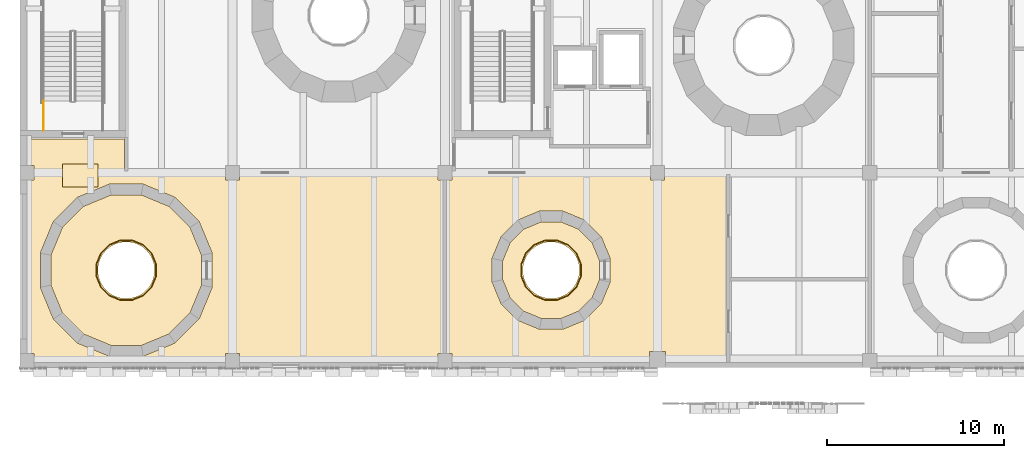
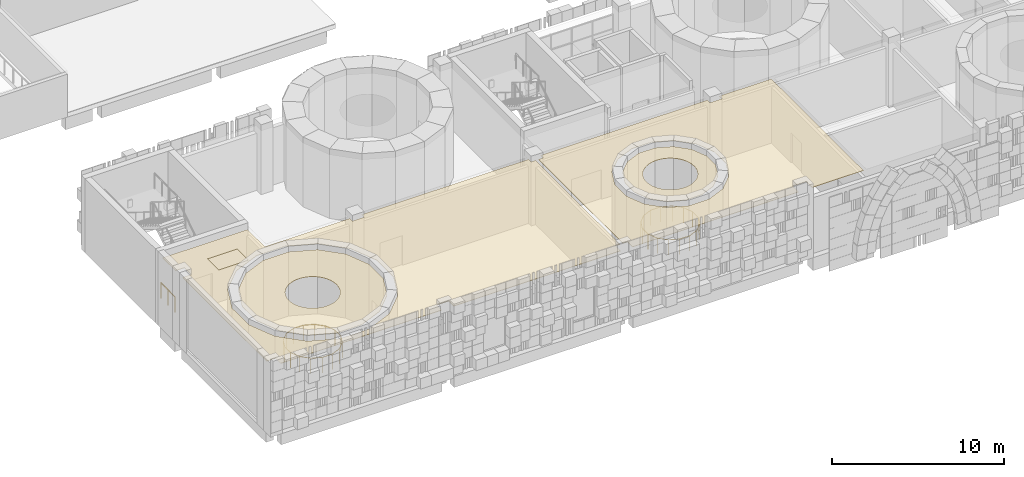
# One storey, part 89 of 125: 5 coverings, 3 railings.
"""IFC4 building model written with IfcOpenShell, lengths in metres."""

import ifcopenshell
import ifcopenshell.guid

model = None  # the IFC model being written
_history = None  # IfcOwnerHistory: only IFC2X3 demands one
_inside = {}  # id of a spatial element -> (the spatial element, [elements in it])
_under = {}  # id of a project, library or spatial element -> (it, [spatial elements below it])
_declared = {}  # id of a project -> (the project, [libraries it declares])
_typed = {}  # id of a type object -> (the type object, [elements of that type])
_made_of = {}  # id of a material, layer set ... -> (it, [elements and type objects made of it])


def new_model(schema):
    """Start an empty IFC model of exactly this schema.

    Asked for "IFC4X3", IfcOpenShell would pick the latest addendum, in which some entities
    have other attributes; the version numbers below select the first issue.
    IFC2X3 requires an IfcOwnerHistory on every rooted entity: one is made here for all.
    """
    global model, _history
    if schema == "IFC4X3":
        model = ifcopenshell.file(schema_version=(4, 3, 0, 0))
    else:
        model = ifcopenshell.file(schema=schema)
    _inside.clear()
    _under.clear()
    _declared.clear()
    _typed.clear()
    _made_of.clear()
    _history = None
    if model.schema == "IFC2X3":
        org = make("IfcOrganization", Name="unknown")
        user = make(
            "IfcPersonAndOrganization",
            ThePerson=make("IfcPerson", FamilyName="unknown"),
            TheOrganization=org,
        )
        app = make(
            "IfcApplication",
            ApplicationDeveloper=org,
            Version="unknown",
            ApplicationFullName="unknown",
            ApplicationIdentifier="unknown",
        )
        _history = make(
            "IfcOwnerHistory",
            OwningUser=user,
            OwningApplication=app,
            ChangeAction="ADDED",
            CreationDate=0,
        )
    return model


def make(cls, **values):
    """One entity of the class cls with the attributes given. An attribute that is None is left unset."""
    return model.create_entity(
        cls, **{name: value for name, value in values.items() if value is not None}
    )


def rooted(cls, **values):
    """An entity with a GlobalId (a new one), such as an element, a storey or a relation."""
    return make(cls, GlobalId=ifcopenshell.guid.new(), OwnerHistory=_history, **values)


def si_unit(unit_type, name, prefix=None):
    """IfcSIUnit, for example si_unit("LENGTHUNIT", "METRE", prefix="MILLI")."""
    return make("IfcSIUnit", UnitType=unit_type, Prefix=prefix, Name=name)


def assignment(units):
    """IfcUnitAssignment: the units of a project."""
    return None if units is None else make("IfcUnitAssignment", Units=units)


def point(xyz):
    """IfcCartesianPoint."""
    return None if xyz is None else make("IfcCartesianPoint", Coordinates=xyz)


def direction(xyz):
    """IfcDirection."""
    return None if xyz is None else make("IfcDirection", DirectionRatios=xyz)


def frame(location, z_axis=None, x_axis=None):
    """IfcAxis2Placement3D, a coordinate frame: its origin and axes. An axis left out is left unset."""
    return make(
        "IfcAxis2Placement3D",
        Location=point(location),
        Axis=direction(z_axis),
        RefDirection=direction(x_axis),
    )


def frame_2d(location, x_axis=None):
    """IfcAxis2Placement2D, a coordinate frame in the plane: its origin and x axis."""
    return make(
        "IfcAxis2Placement2D", Location=point(location), RefDirection=direction(x_axis)
    )


def origin():
    """The frame at (0, 0, 0) with its axes left unset."""
    return frame((0.0, 0.0, 0.0))


def origin_2d():
    """The frame at (0, 0) in the plane with its x axis left unset."""
    return frame_2d((0.0, 0.0))


def place(relative_to, where):
    """IfcLocalPlacement: puts the frame where relative to a parent placement (None: the world)."""
    return make(
        "IfcLocalPlacement", PlacementRelTo=relative_to, RelativePlacement=where
    )


def context(
    kind, dimensions, precision=None, world=None, true_north=None, identifier=None
):
    """IfcGeometricRepresentationContext, for example the 3D "Model" context."""
    return make(
        "IfcGeometricRepresentationContext",
        ContextIdentifier=identifier,
        ContextType=kind,
        CoordinateSpaceDimension=dimensions,
        Precision=precision,
        WorldCoordinateSystem=world,
        TrueNorth=true_north,
    )


def subcontext(parent, identifier, kind, view, scale=None):
    """IfcGeometricRepresentationSubContext, for example "Body" below "Model"."""
    return make(
        "IfcGeometricRepresentationSubContext",
        ContextIdentifier=identifier,
        ContextType=kind,
        ParentContext=parent,
        TargetScale=scale,
        TargetView=view,
    )


def project(units=None, contexts=None):
    """IfcProject with its units and contexts."""
    return rooted(
        "IfcProject",
        Name="project",
        RepresentationContexts=contexts,
        UnitsInContext=assignment(units),
    )


def spatial(cls, under=None, at=None, **own):
    """A site, building, storey or space (cls), placed at a placement, below another one or the project."""
    s = rooted(cls, ObjectPlacement=at, **own)
    if under is not None:
        _under.setdefault(under.id(), (under, []))[1].append(s)
    return s


def polyline(points):
    """IfcPolyline through the points."""
    return make("IfcPolyline", Points=[point(p) for p in points])


def profile(cls, at=None, kind="AREA", **sizes):
    """A parametric profile (cls). Its sizes go by their IFC names, for example OverallWidth=200.0."""
    return make(cls, ProfileType=kind, Position=at, **sizes)


def circle(**sizes):
    """IfcCircleProfileDef."""
    return profile("IfcCircleProfileDef", **sizes)


def outline(outer, holes=None, kind="AREA"):
    """IfcArbitraryClosedProfileDef: a profile drawn as a closed curve; with holes, ...WithVoids."""
    if holes is None:
        return make("IfcArbitraryClosedProfileDef", ProfileType=kind, OuterCurve=outer)
    return make(
        "IfcArbitraryProfileDefWithVoids",
        ProfileType=kind,
        OuterCurve=outer,
        InnerCurves=holes,
    )


def extrude(swept, where, along, depth):
    """IfcExtrudedAreaSolid: the profile swept, set in the frame where, extruded along a direction by depth."""
    return make(
        "IfcExtrudedAreaSolid",
        SweptArea=swept,
        Position=where,
        ExtrudedDirection=direction(along),
        Depth=depth,
    )


def shape(context_of_items, identifier, shape_type, items):
    """IfcShapeRepresentation: the items that make up one representation, for example the "Body"."""
    return make(
        "IfcShapeRepresentation",
        ContextOfItems=context_of_items,
        RepresentationIdentifier=identifier,
        RepresentationType=shape_type,
        Items=items,
    )


def material(Name=None, Category=None):
    """IfcMaterial."""
    return make("IfcMaterial", Name=Name, Category=Category)


def layer(
    of_material, thickness, ventilated=None, Name=None, Category=None, Priority=None
):
    """IfcMaterialLayer: one layer of a wall or slab, of a material (None: an air gap)."""
    return make(
        "IfcMaterialLayer",
        Material=of_material,
        LayerThickness=thickness,
        IsVentilated=ventilated,
        Name=Name,
        Category=Category,
        Priority=Priority,
    )


def layer_set(layers, Name=None):
    """IfcMaterialLayerSet."""
    return make("IfcMaterialLayerSet", MaterialLayers=layers, LayerSetName=Name)


def made_of(thing, what):
    """Note that an element or type object is made of a material, layer set ...; save() writes the relation."""
    if what is not None:
        _made_of.setdefault(what.id(), (what, []))[1].append(thing)
    return thing


def type_object(cls, material=None, **own):
    """A type object (cls), such as IfcWallType, which elements share."""
    return made_of(rooted(cls, **own), material)


def element(
    cls,
    number,
    at=None,
    inside=None,
    cuts=None,
    type_object=None,
    material=None,
    context=None,
    identifier="Body",
    shape_type=None,
    held_by="IfcProductDefinitionShape",
    body=None,
    shapes=None,
    **own,
):
    """One element of the class cls, such as IfcWall. Its Tag is "e" and its number.

    at: its placement. inside: the storey or other place that contains it. cuts: it is an
    opening in that element (IfcRelVoidsElement). A single representation is given by context,
    identifier, shape_type and body (its items); several are given by shapes. held_by: the class
    of the entity that holds the representations. save() writes the other relations.
    """
    e = rooted(cls, Tag="e%d" % number, ObjectPlacement=at, **own)
    if body is not None:
        shapes = [shape(context, identifier, shape_type, body)]
    if shapes is not None:
        e.Representation = make(held_by, Representations=shapes)
    if inside is not None:
        _inside.setdefault(inside.id(), (inside, []))[1].append(e)
    if cuts is not None:
        rooted(
            "IfcRelVoidsElement", RelatingBuildingElement=cuts, RelatedOpeningElement=e
        )
    if type_object is not None:
        _typed.setdefault(type_object.id(), (type_object, []))[1].append(e)
    return made_of(e, material)


def aggregate(whole, parts):
    """IfcRelAggregates: a whole, such as a stair, and the parts it consists of."""
    return rooted("IfcRelAggregates", RelatingObject=whole, RelatedObjects=parts)


def save(model, path):
    """Write the relations noted so far, then the file.

    IfcRelAggregates (storeys below a building ...), IfcRelContainedInSpatialStructure (elements
    in a storey), IfcRelDefinesByType, IfcRelAssociatesMaterial and IfcRelDeclares: one each for
    every whole, place, type object, material and project.
    """
    for whole, parts in _under.values():
        aggregate(whole, parts)
    for where, things in _inside.values():
        rooted(
            "IfcRelContainedInSpatialStructure",
            RelatedElements=things,
            RelatingStructure=where,
        )
    for kind, things in _typed.values():
        rooted("IfcRelDefinesByType", RelatedObjects=things, RelatingType=kind)
    for what, things in _made_of.values():
        rooted("IfcRelAssociatesMaterial", RelatedObjects=things, RelatingMaterial=what)
    for by, libraries in _declared.values():
        rooted("IfcRelDeclares", RelatingContext=by, RelatedDefinitions=libraries)
    model.write(path)


model = new_model("IFC4")

# Units and contexts
model_context = context("Model", 3, precision=1e-05, world=origin(), true_north=direction((0.0, 1.0)))
body_context = subcontext(model_context, "Body", "Model", "MODEL_VIEW")
ifc_project = project(units=[si_unit("LENGTHUNIT", "METRE"), si_unit("AREAUNIT", "SQUARE_METRE"), si_unit("VOLUMEUNIT", "CUBIC_METRE"), si_unit("PLANEANGLEUNIT", "RADIAN"), si_unit("MASSUNIT", "GRAM", prefix="KILO")], contexts=[model_context])

# Site, building, storey
site_placement = place(None, origin())
site = spatial("IfcSite", under=ifc_project, at=site_placement, CompositionType="ELEMENT")
building_placement = place(site_placement, origin())
building = spatial("IfcBuilding", under=site, at=building_placement, Name="Sun Court Science Centre", CompositionType="ELEMENT")
storey_placement = place(building_placement, frame((0.0, 0.0, 6.0)))
storey = spatial("IfcBuildingStorey", under=building, at=storey_placement, Name="L01", CompositionType="ELEMENT", Elevation=6.0)

# Coverings
ifc_material_1 = material(Name="Gypsum board")
ifc_layer = layer(ifc_material_1, 0.030029296875)
ifc_layer_set = layer_set([ifc_layer], Name="Gypsum board")
covering_type = type_object("IfcCoveringType", Name="Ceiling suspended 600 module", PredefinedType="CEILING", material=ifc_layer_set)
covering_1_placement = place(storey_placement, frame((0.0, 0.0, 4.52001953125)))
element("IfcCovering", 1, at=covering_1_placement, inside=storey, type_object=covering_type, Name="L01-001 ceiling", PredefinedType="CEILING", context=body_context, shape_type="SweptSolid", body=[
    extrude(outline(polyline([(9.607177734375, 9.08984375), (8.41015625, 7.892822265625), (6.84619140625, 7.2451171875), (5.15380859375, 7.2451171875), (3.58984375, 7.892822265625), (2.392822265625, 9.08984375), (1.7451171875, 10.65380859375), (1.7451171875, 12.34619140625), (2.392822265625, 13.91015625), (3.58984375, 15.107177734375), (5.15380859375, 15.7548828125), (6.84619140625, 15.7548828125), (8.41015625, 15.107177734375), (9.607177734375, 13.91015625), (10.2548828125, 12.34619140625), (10.2548828125, 10.65380859375), (9.607177734375, 9.08984375)]), holes=[polyline([(7.478271484375, 12.1123046875), (7.385498046875, 12.300048828125), (7.269287109375, 12.47412109375), (7.13134765625, 12.63134765625), (6.97412109375, 12.769287109375), (6.800048828125, 12.885498046875), (6.6123046875, 12.978271484375), (6.4140625, 13.04541015625), (6.208740234375, 13.086181640625), (6.0, 13.10009765625), (5.791259765625, 13.086181640625), (5.5859375, 13.04541015625), (5.3876953125, 12.978271484375), (5.199951171875, 12.885498046875), (5.02587890625, 12.769287109375), (4.86865234375, 12.63134765625), (4.730712890625, 12.47412109375), (4.614501953125, 12.300048828125), (4.521728515625, 12.1123046875), (4.45458984375, 11.9140625), (4.413818359375, 11.708740234375), (4.39990234375, 11.5), (4.413818359375, 11.291259765625), (4.45458984375, 11.0859375), (4.521728515625, 10.8876953125), (4.614501953125, 10.699951171875), (4.730712890625, 10.52587890625), (4.86865234375, 10.36865234375), (5.02587890625, 10.230712890625), (5.199951171875, 10.114501953125), (5.3876953125, 10.021728515625), (5.5859375, 9.95458984375), (5.791259765625, 9.913818359375), (6.0, 9.89990234375), (6.208740234375, 9.913818359375), (6.4140625, 9.95458984375), (6.6123046875, 10.021728515625), (6.800048828125, 10.114501953125), (6.97412109375, 10.230712890625), (7.13134765625, 10.36865234375), (7.269287109375, 10.52587890625), (7.385498046875, 10.699951171875), (7.478271484375, 10.8876953125), (7.54541015625, 11.0859375), (7.586181640625, 11.291259765625), (7.60009765625, 11.5), (7.586181640625, 11.708740234375), (7.54541015625, 11.9140625), (7.478271484375, 12.1123046875)])]), origin(), (0.0, 0.0, 1.0), 0.030029296875),
])
covering_2_placement = place(storey_placement, frame((0.0, 0.0, 4.52001953125)))
element("IfcCovering", 2, at=covering_2_placement, inside=storey, type_object=covering_type, Name="L01-003 ceiling", PredefinedType="CEILING", context=body_context, shape_type="SweptSolid", body=[
    extrude(outline(polyline([(32.318359375, 9.950927734375), (31.549072265625, 9.181640625), (30.5439453125, 8.765380859375), (29.4560546875, 8.765380859375), (28.450927734375, 9.181640625), (27.681640625, 9.950927734375), (27.265380859375, 10.9560546875), (27.265380859375, 12.0439453125), (27.681640625, 13.049072265625), (28.450927734375, 13.818359375), (29.4560546875, 14.234619140625), (30.5439453125, 14.234619140625), (31.549072265625, 13.818359375), (32.318359375, 13.049072265625), (32.734619140625, 12.0439453125), (32.734619140625, 10.9560546875), (32.318359375, 9.950927734375)]), holes=[polyline([(31.478271484375, 12.1123046875), (31.385498046875, 12.300048828125), (31.269287109375, 12.47412109375), (31.13134765625, 12.63134765625), (30.97412109375, 12.769287109375), (30.800048828125, 12.885498046875), (30.6123046875, 12.978271484375), (30.4140625, 13.04541015625), (30.208740234375, 13.086181640625), (30.0, 13.10009765625), (29.791259765625, 13.086181640625), (29.5859375, 13.04541015625), (29.3876953125, 12.978271484375), (29.199951171875, 12.885498046875), (29.02587890625, 12.769287109375), (28.86865234375, 12.63134765625), (28.730712890625, 12.47412109375), (28.614501953125, 12.300048828125), (28.521728515625, 12.1123046875), (28.45458984375, 11.9140625), (28.413818359375, 11.708740234375), (28.39990234375, 11.5), (28.413818359375, 11.291259765625), (28.45458984375, 11.0859375), (28.521728515625, 10.8876953125), (28.614501953125, 10.699951171875), (28.730712890625, 10.52587890625), (28.86865234375, 10.36865234375), (29.02587890625, 10.230712890625), (29.199951171875, 10.114501953125), (29.3876953125, 10.021728515625), (29.5859375, 9.95458984375), (29.791259765625, 9.913818359375), (30.0, 9.89990234375), (30.208740234375, 9.913818359375), (30.4140625, 9.95458984375), (30.6123046875, 10.021728515625), (30.800048828125, 10.114501953125), (30.97412109375, 10.230712890625), (31.13134765625, 10.36865234375), (31.269287109375, 10.52587890625), (31.385498046875, 10.699951171875), (31.478271484375, 10.8876953125), (31.54541015625, 11.0859375), (31.586181640625, 11.291259765625), (31.60009765625, 11.5), (31.586181640625, 11.708740234375), (31.54541015625, 11.9140625), (31.478271484375, 12.1123046875)])]), origin(), (0.0, 0.0, 1.0), 0.030029296875),
])
covering_3_placement = place(storey_placement, frame((0.0, 0.0, 4.52001953125)))
element("IfcCovering", 3, at=covering_3_placement, inside=storey, type_object=covering_type, Name="L01-012 ceiling", PredefinedType="CEILING", context=body_context, shape_type="SweptSolid", body=[
    extrude(outline(polyline([(5.89990234375, 16.89990234375), (11.60009765625, 16.89990234375), (11.60009765625, 16.60009765625), (12.39990234375, 16.60009765625), (12.39990234375, 16.89990234375), (23.60009765625, 16.89990234375), (23.60009765625, 16.60009765625), (23.89990234375, 16.60009765625), (23.89990234375, 6.800048828125), (23.60009765625, 6.800048828125), (23.60009765625, 6.199951171875), (12.39990234375, 6.199951171875), (12.39990234375, 6.800048828125), (11.60009765625, 6.800048828125), (11.60009765625, 6.199951171875), (0.800048828125, 6.199951171875), (0.800048828125, 6.800048828125), (0.199951171875, 6.800048828125), (0.199951171875, 16.60009765625), (0.800048828125, 16.60009765625), (0.800048828125, 17.39990234375), (0.199951171875, 17.39990234375), (0.199951171875, 18.89990234375), (5.89990234375, 18.89990234375), (5.89990234375, 16.89990234375)]), holes=[polyline([(5.0341796875, 16.35498046875), (3.25, 15.61572265625), (1.88427734375, 14.25), (1.14501953125, 12.4658203125), (1.14501953125, 10.5341796875), (1.88427734375, 8.75), (3.25, 7.38427734375), (5.0341796875, 6.64501953125), (6.9658203125, 6.64501953125), (8.75, 7.38427734375), (10.11572265625, 8.75), (10.85498046875, 10.5341796875), (10.85498046875, 12.4658203125), (10.11572265625, 14.25), (8.75, 15.61572265625), (6.9658203125, 16.35498046875), (5.0341796875, 16.35498046875)]), polyline([(4.39990234375, 16.199951171875), (4.39990234375, 17.5), (2.39990234375, 17.5), (2.39990234375, 16.199951171875), (4.39990234375, 16.199951171875)])]), origin(), (0.0, 0.0, 1.0), 0.030029296875),
])
covering_4_placement = place(storey_placement, frame((0.0, 0.0, 4.52001953125)))
element("IfcCovering", 4, at=covering_4_placement, inside=storey, type_object=covering_type, Name="L01-014 ceiling", PredefinedType="CEILING", context=body_context, shape_type="SweptSolid", body=[
    extrude(outline(polyline([(24.10009765625, 16.60009765625), (24.39990234375, 16.60009765625), (24.39990234375, 16.89990234375), (35.60009765625, 16.89990234375), (35.60009765625, 16.60009765625), (36.39990234375, 16.60009765625), (36.39990234375, 16.89990234375), (39.89990234375, 16.89990234375), (39.89990234375, 6.199951171875), (36.449951171875, 6.199951171875), (36.449951171875, 6.89990234375), (35.550048828125, 6.89990234375), (35.550048828125, 6.199951171875), (24.39990234375, 6.199951171875), (24.39990234375, 6.800048828125), (24.10009765625, 6.800048828125), (24.10009765625, 16.60009765625)]), holes=[polyline([(31.888916015625, 14.326904296875), (30.663330078125, 14.834716796875), (29.336669921875, 14.834716796875), (28.111083984375, 14.326904296875), (27.173095703125, 13.388916015625), (26.665283203125, 12.163330078125), (26.665283203125, 10.836669921875), (27.173095703125, 9.611083984375), (28.111083984375, 8.673095703125), (29.336669921875, 8.165283203125), (30.663330078125, 8.165283203125), (31.888916015625, 8.673095703125), (32.826904296875, 9.611083984375), (33.334716796875, 10.836669921875), (33.334716796875, 12.163330078125), (32.826904296875, 13.388916015625), (31.888916015625, 14.326904296875)])]), origin(), (0.0, 0.0, 1.0), 0.030029296875),
])
covering_5_placement = place(storey_placement, frame((0.0, 0.0, 4.52001953125)))
element("IfcCovering", 5, at=covering_5_placement, inside=storey, type_object=covering_type, Name="L01-028 ceiling", PredefinedType="CEILING", context=body_context, shape_type="SweptSolid", body=[
    extrude(outline(polyline([(4.39990234375, 17.5), (4.39990234375, 16.199951171875), (2.39990234375, 16.199951171875), (2.39990234375, 17.5), (4.39990234375, 17.5)])), origin(), (0.0, 0.0, 1.0), 0.030029296875),
])

# Railings
ifc_material_2 = material(Name="Steel S275", Category="steel")
railing_type_1 = type_object("IfcRailingType", Name="Guard 1100 steel balustrade", PredefinedType="GUARDRAIL", material=ifc_material_2)
railing_1_placement = place(storey_placement, frame((1.326904296875, 19.39990234375, 0.0)))
element("IfcRailing", 6, at=railing_1_placement, inside=storey, type_object=railing_type_1, Name="L01 SB1 stair guard 8", PredefinedType="GUARDRAIL", context=body_context, shape_type="SweptSolid", body=[
    extrude(circle(Radius=0.02392578125, at=origin_2d()), frame((0.0, 0.0, 1.076171875), z_axis=(0.0, 1.0, 0.0), x_axis=(-1.0, 0.0, 0.0)), (0.0, 0.0, 1.0), 1.648193359375),
    extrude(circle(Radius=0.02099609375, at=origin_2d()), origin(), (0.0, 0.0, 1.0), 1.052001953125),
    extrude(circle(Radius=0.02099609375, at=origin_2d()), frame((0.0, 0.82421875, 0.0)), (0.0, 0.0, 1.0), 1.052001953125),
    extrude(circle(Radius=0.02099609375, at=origin_2d()), frame((0.0, 1.648193359375, 0.0)), (0.0, 0.0, 1.0), 1.052001953125),
])
ifc_material_3 = material(Name="Steel S275", Category="steel")
railing_type_2 = type_object("IfcRailingType", Name="Guard 1100 well balustrade", PredefinedType="GUARDRAIL", material=ifc_material_3)
railing_2_placement = place(storey_placement, frame((7.68701171875, 11.83544921875, 0.0)))
element("IfcRailing", 7, at=railing_2_placement, inside=storey, type_object=railing_type_2, Name="C1 well guard L01", PredefinedType="GUARDRAIL", context=body_context, shape_type="SweptSolid", body=[
    extrude(circle(Radius=0.02392578125, at=origin_2d()), frame((0.0, 0.0, 1.076171875), z_axis=(-0.382651625058, 0.923892706888, 0.0), x_axis=(-0.923892706888, -0.382651625058, 0.0)), (0.0, 0.0, 1.0), 0.671142578125),
    extrude(circle(Radius=0.02392578125, at=origin_2d()), frame((-0.2568359375, 0.6201171875, 1.076171875), z_axis=(-0.707106781187, 0.707106781187, 0.0), x_axis=(-0.707106781187, -0.707106781187, 0.0)), (0.0, 0.0, 1.0), 0.671142578125),
    extrude(circle(Radius=0.02392578125, at=origin_2d()), frame((-0.7314453125, 1.0947265625, 1.076171875), z_axis=(-0.923892706888, 0.382651625058, 0.0), x_axis=(-0.382651625058, -0.923892706888, 0.0)), (0.0, 0.0, 1.0), 0.671142578125),
    extrude(circle(Radius=0.02392578125, at=origin_2d()), frame((-1.3515625, 1.3515625, 1.076171875), z_axis=(-1.0, 0.0, 0.0), x_axis=(0.0, -1.0, 0.0)), (0.0, 0.0, 1.0), 0.6708984375),
    extrude(circle(Radius=0.02392578125, at=origin_2d()), frame((-2.0224609375, 1.3515625, 1.076171875), z_axis=(-0.923892706888, -0.382651625058, 0.0), x_axis=(0.382651625058, -0.923892706888, 0.0)), (0.0, 0.0, 1.0), 0.671142578125),
    extrude(circle(Radius=0.02392578125, at=origin_2d()), frame((-2.642578125, 1.0947265625, 1.076171875), z_axis=(-0.707106781187, -0.707106781187, 0.0), x_axis=(0.707106781187, -0.707106781187, 0.0)), (0.0, 0.0, 1.0), 0.671142578125),
    extrude(circle(Radius=0.02392578125, at=origin_2d()), frame((-3.1171875, 0.6201171875, 1.076171875), z_axis=(-0.382651625058, -0.923892706888, 0.0), x_axis=(0.923892706888, -0.382651625058, 0.0)), (0.0, 0.0, 1.0), 0.671142578125),
    extrude(circle(Radius=0.02392578125, at=origin_2d()), frame((-3.3740234375, 0.0, 1.076171875), z_axis=(0.0, -1.0, 0.0), x_axis=(1.0, 0.0, 0.0)), (0.0, 0.0, 1.0), 0.6708984375),
    extrude(circle(Radius=0.02392578125, at=origin_2d()), frame((-3.3740234375, -0.6708984375, 1.076171875), z_axis=(0.382651625058, -0.923892706888, 0.0), x_axis=(0.923892706888, 0.382651625058, 0.0)), (0.0, 0.0, 1.0), 0.671142578125),
    extrude(circle(Radius=0.02392578125, at=origin_2d()), frame((-3.1171875, -1.291015625, 1.076171875), z_axis=(0.707106781187, -0.707106781187, 0.0), x_axis=(0.707106781187, 0.707106781187, 0.0)), (0.0, 0.0, 1.0), 0.671142578125),
    extrude(circle(Radius=0.02392578125, at=origin_2d()), frame((-2.642578125, -1.765625, 1.076171875), z_axis=(0.923892706888, -0.382651625058, 0.0), x_axis=(0.382651625058, 0.923892706888, 0.0)), (0.0, 0.0, 1.0), 0.671142578125),
    extrude(circle(Radius=0.02392578125, at=origin_2d()), frame((-2.0224609375, -2.0224609375, 1.076171875), z_axis=(1.0, 0.0, 0.0), x_axis=(0.0, 1.0, 0.0)), (0.0, 0.0, 1.0), 0.6708984375),
    extrude(circle(Radius=0.02392578125, at=origin_2d()), frame((-1.3515625, -2.0224609375, 1.076171875), z_axis=(0.923892706888, 0.382651625058, 0.0), x_axis=(-0.382651625058, 0.923892706888, 0.0)), (0.0, 0.0, 1.0), 0.671142578125),
    extrude(circle(Radius=0.02392578125, at=origin_2d()), frame((-0.7314453125, -1.765625, 1.076171875), z_axis=(0.707106781187, 0.707106781187, 0.0), x_axis=(-0.707106781187, 0.707106781187, 0.0)), (0.0, 0.0, 1.0), 0.671142578125),
    extrude(circle(Radius=0.02392578125, at=origin_2d()), frame((-0.2568359375, -1.291015625, 1.076171875), z_axis=(0.382651625058, 0.923892706888, 0.0), x_axis=(-0.923892706888, 0.382651625058, 0.0)), (0.0, 0.0, 1.0), 0.671142578125),
    extrude(circle(Radius=0.02392578125, at=origin_2d()), frame((0.0, -0.6708984375, 1.076171875), z_axis=(0.0, 1.0, 0.0), x_axis=(-1.0, 0.0, 0.0)), (0.0, 0.0, 1.0), 0.6708984375),
    extrude(circle(Radius=0.02099609375, at=origin_2d()), origin(), (0.0, 0.0, 1.0), 1.052001953125),
    extrude(circle(Radius=0.02099609375, at=origin_2d()), frame((-0.2568359375, 0.6201171875, 0.0)), (0.0, 0.0, 1.0), 1.052001953125),
    extrude(circle(Radius=0.02099609375, at=origin_2d()), frame((-0.7314453125, 1.0947265625, 0.0)), (0.0, 0.0, 1.0), 1.052001953125),
    extrude(circle(Radius=0.02099609375, at=origin_2d()), frame((-1.3515625, 1.3515625, 0.0)), (0.0, 0.0, 1.0), 1.052001953125),
    extrude(circle(Radius=0.02099609375, at=origin_2d()), frame((-2.0224609375, 1.3515625, 0.0)), (0.0, 0.0, 1.0), 1.052001953125),
    extrude(circle(Radius=0.02099609375, at=origin_2d()), frame((-2.642578125, 1.0947265625, 0.0)), (0.0, 0.0, 1.0), 1.052001953125),
    extrude(circle(Radius=0.02099609375, at=origin_2d()), frame((-3.1171875, 0.6201171875, 0.0)), (0.0, 0.0, 1.0), 1.052001953125),
    extrude(circle(Radius=0.02099609375, at=origin_2d()), frame((-3.3740234375, 0.0, 0.0)), (0.0, 0.0, 1.0), 1.052001953125),
    extrude(circle(Radius=0.02099609375, at=origin_2d()), frame((-3.3740234375, -0.6708984375, 0.0)), (0.0, 0.0, 1.0), 1.052001953125),
    extrude(circle(Radius=0.02099609375, at=origin_2d()), frame((-3.1171875, -1.291015625, 0.0)), (0.0, 0.0, 1.0), 1.052001953125),
    extrude(circle(Radius=0.02099609375, at=origin_2d()), frame((-2.642578125, -1.765625, 0.0)), (0.0, 0.0, 1.0), 1.052001953125),
    extrude(circle(Radius=0.02099609375, at=origin_2d()), frame((-2.0224609375, -2.0224609375, 0.0)), (0.0, 0.0, 1.0), 1.052001953125),
    extrude(circle(Radius=0.02099609375, at=origin_2d()), frame((-1.3515625, -2.0224609375, 0.0)), (0.0, 0.0, 1.0), 1.052001953125),
    extrude(circle(Radius=0.02099609375, at=origin_2d()), frame((-0.7314453125, -1.765625, 0.0)), (0.0, 0.0, 1.0), 1.052001953125),
    extrude(circle(Radius=0.02099609375, at=origin_2d()), frame((-0.2568359375, -1.291015625, 0.0)), (0.0, 0.0, 1.0), 1.052001953125),
    extrude(circle(Radius=0.02099609375, at=origin_2d()), frame((0.0, -0.6708984375, 0.0)), (0.0, 0.0, 1.0), 1.052001953125),
])
railing_3_placement = place(storey_placement, frame((31.68701171875, 11.83544921875, 0.0)))
element("IfcRailing", 8, at=railing_3_placement, inside=storey, type_object=railing_type_2, Name="C3 well guard L01", PredefinedType="GUARDRAIL", context=body_context, shape_type="SweptSolid", body=[
    extrude(circle(Radius=0.02392578125, at=origin_2d()), frame((0.0, 0.0, 1.076171875), z_axis=(-0.382651625058, 0.923892706888, 0.0), x_axis=(-0.923892706888, -0.382651625058, 0.0)), (0.0, 0.0, 1.0), 0.671142578125),
    extrude(circle(Radius=0.02392578125, at=origin_2d()), frame((-0.2568359375, 0.6201171875, 1.076171875), z_axis=(-0.707106781187, 0.707106781187, 0.0), x_axis=(-0.707106781187, -0.707106781187, 0.0)), (0.0, 0.0, 1.0), 0.671142578125),
    extrude(circle(Radius=0.02392578125, at=origin_2d()), frame((-0.7314453125, 1.0947265625, 1.076171875), z_axis=(-0.923892706888, 0.382651625058, 0.0), x_axis=(-0.382651625058, -0.923892706888, 0.0)), (0.0, 0.0, 1.0), 0.671142578125),
    extrude(circle(Radius=0.02392578125, at=origin_2d()), frame((-1.3515625, 1.3515625, 1.076171875), z_axis=(-1.0, 0.0, 0.0), x_axis=(0.0, -1.0, 0.0)), (0.0, 0.0, 1.0), 0.6708984375),
    extrude(circle(Radius=0.02392578125, at=origin_2d()), frame((-2.0224609375, 1.3515625, 1.076171875), z_axis=(-0.923892706888, -0.382651625058, 0.0), x_axis=(0.382651625058, -0.923892706888, 0.0)), (0.0, 0.0, 1.0), 0.671142578125),
    extrude(circle(Radius=0.02392578125, at=origin_2d()), frame((-2.642578125, 1.0947265625, 1.076171875), z_axis=(-0.707106781187, -0.707106781187, 0.0), x_axis=(0.707106781187, -0.707106781187, 0.0)), (0.0, 0.0, 1.0), 0.671142578125),
    extrude(circle(Radius=0.02392578125, at=origin_2d()), frame((-3.1171875, 0.6201171875, 1.076171875), z_axis=(-0.382651625058, -0.923892706888, 0.0), x_axis=(0.923892706888, -0.382651625058, 0.0)), (0.0, 0.0, 1.0), 0.671142578125),
    extrude(circle(Radius=0.02392578125, at=origin_2d()), frame((-3.3740234375, 0.0, 1.076171875), z_axis=(0.0, -1.0, 0.0), x_axis=(1.0, 0.0, 0.0)), (0.0, 0.0, 1.0), 0.6708984375),
    extrude(circle(Radius=0.02392578125, at=origin_2d()), frame((-3.3740234375, -0.6708984375, 1.076171875), z_axis=(0.382651625058, -0.923892706888, 0.0), x_axis=(0.923892706888, 0.382651625058, 0.0)), (0.0, 0.0, 1.0), 0.671142578125),
    extrude(circle(Radius=0.02392578125, at=origin_2d()), frame((-3.1171875, -1.291015625, 1.076171875), z_axis=(0.707106781187, -0.707106781187, 0.0), x_axis=(0.707106781187, 0.707106781187, 0.0)), (0.0, 0.0, 1.0), 0.671142578125),
    extrude(circle(Radius=0.02392578125, at=origin_2d()), frame((-2.642578125, -1.765625, 1.076171875), z_axis=(0.923892706888, -0.382651625058, 0.0), x_axis=(0.382651625058, 0.923892706888, 0.0)), (0.0, 0.0, 1.0), 0.671142578125),
    extrude(circle(Radius=0.02392578125, at=origin_2d()), frame((-2.0224609375, -2.0224609375, 1.076171875), z_axis=(1.0, 0.0, 0.0), x_axis=(0.0, 1.0, 0.0)), (0.0, 0.0, 1.0), 0.6708984375),
    extrude(circle(Radius=0.02392578125, at=origin_2d()), frame((-1.3515625, -2.0224609375, 1.076171875), z_axis=(0.923892706888, 0.382651625058, 0.0), x_axis=(-0.382651625058, 0.923892706888, 0.0)), (0.0, 0.0, 1.0), 0.671142578125),
    extrude(circle(Radius=0.02392578125, at=origin_2d()), frame((-0.7314453125, -1.765625, 1.076171875), z_axis=(0.707106781187, 0.707106781187, 0.0), x_axis=(-0.707106781187, 0.707106781187, 0.0)), (0.0, 0.0, 1.0), 0.671142578125),
    extrude(circle(Radius=0.02392578125, at=origin_2d()), frame((-0.2568359375, -1.291015625, 1.076171875), z_axis=(0.382651625058, 0.923892706888, 0.0), x_axis=(-0.923892706888, 0.382651625058, 0.0)), (0.0, 0.0, 1.0), 0.671142578125),
    extrude(circle(Radius=0.02392578125, at=origin_2d()), frame((0.0, -0.6708984375, 1.076171875), z_axis=(0.0, 1.0, 0.0), x_axis=(-1.0, 0.0, 0.0)), (0.0, 0.0, 1.0), 0.6708984375),
    extrude(circle(Radius=0.02099609375, at=origin_2d()), origin(), (0.0, 0.0, 1.0), 1.052001953125),
    extrude(circle(Radius=0.02099609375, at=origin_2d()), frame((-0.2568359375, 0.6201171875, 0.0)), (0.0, 0.0, 1.0), 1.052001953125),
    extrude(circle(Radius=0.02099609375, at=origin_2d()), frame((-0.7314453125, 1.0947265625, 0.0)), (0.0, 0.0, 1.0), 1.052001953125),
    extrude(circle(Radius=0.02099609375, at=origin_2d()), frame((-1.3515625, 1.3515625, 0.0)), (0.0, 0.0, 1.0), 1.052001953125),
    extrude(circle(Radius=0.02099609375, at=origin_2d()), frame((-2.0224609375, 1.3515625, 0.0)), (0.0, 0.0, 1.0), 1.052001953125),
    extrude(circle(Radius=0.02099609375, at=origin_2d()), frame((-2.642578125, 1.0947265625, 0.0)), (0.0, 0.0, 1.0), 1.052001953125),
    extrude(circle(Radius=0.02099609375, at=origin_2d()), frame((-3.1171875, 0.6201171875, 0.0)), (0.0, 0.0, 1.0), 1.052001953125),
    extrude(circle(Radius=0.02099609375, at=origin_2d()), frame((-3.3740234375, 0.0, 0.0)), (0.0, 0.0, 1.0), 1.052001953125),
    extrude(circle(Radius=0.02099609375, at=origin_2d()), frame((-3.3740234375, -0.6708984375, 0.0)), (0.0, 0.0, 1.0), 1.052001953125),
    extrude(circle(Radius=0.02099609375, at=origin_2d()), frame((-3.1171875, -1.291015625, 0.0)), (0.0, 0.0, 1.0), 1.052001953125),
    extrude(circle(Radius=0.02099609375, at=origin_2d()), frame((-2.642578125, -1.765625, 0.0)), (0.0, 0.0, 1.0), 1.052001953125),
    extrude(circle(Radius=0.02099609375, at=origin_2d()), frame((-2.0224609375, -2.0224609375, 0.0)), (0.0, 0.0, 1.0), 1.052001953125),
    extrude(circle(Radius=0.02099609375, at=origin_2d()), frame((-1.3515625, -2.0224609375, 0.0)), (0.0, 0.0, 1.0), 1.052001953125),
    extrude(circle(Radius=0.02099609375, at=origin_2d()), frame((-0.7314453125, -1.765625, 0.0)), (0.0, 0.0, 1.0), 1.052001953125),
    extrude(circle(Radius=0.02099609375, at=origin_2d()), frame((-0.2568359375, -1.291015625, 0.0)), (0.0, 0.0, 1.0), 1.052001953125),
    extrude(circle(Radius=0.02099609375, at=origin_2d()), frame((0.0, -0.6708984375, 0.0)), (0.0, 0.0, 1.0), 1.052001953125),
])

save(model, "model.ifc")
